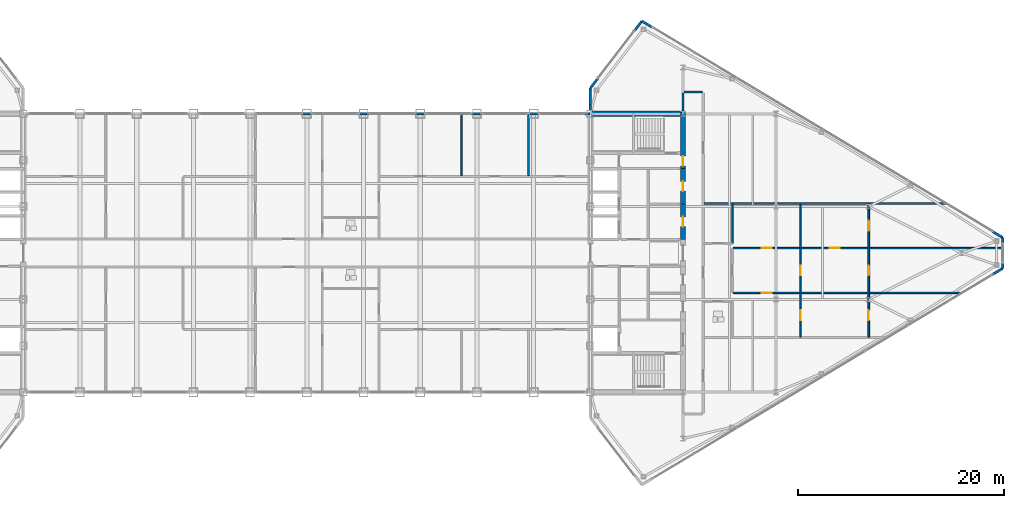
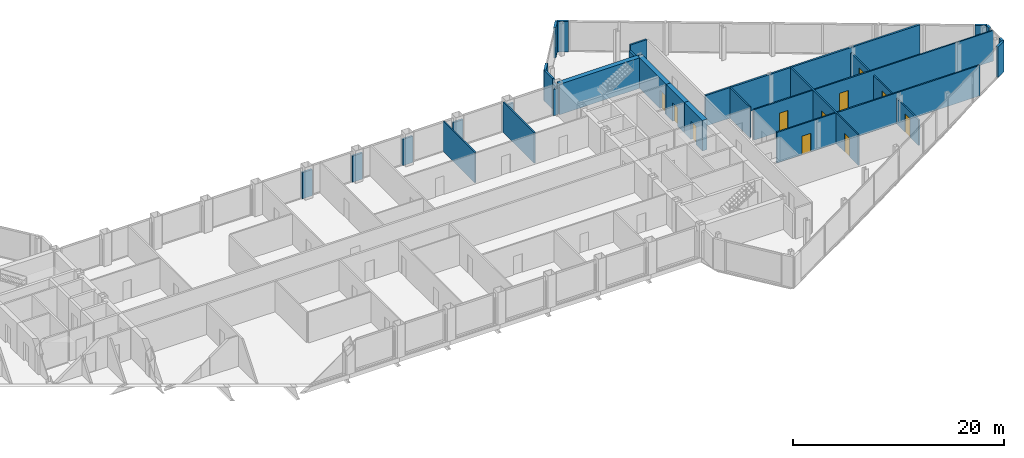
# One storey, part 26 of 29: 29 walls, 11 doors, 11 openings.
"""IFC4 building model written with IfcOpenShell, lengths in metres."""

from ifc_helpers import new_model, si_unit, direction, frame, frame_2d, origin, place, context, subcontext, project, spatial, rectangle, extrude, source, transform, mapped, material, layer, layer_set, type_object, type_shapes, element, fill, save


model = new_model("IFC4")

# Units and contexts
model_context = context("Model", 3, precision=1e-05, world=origin(), true_north=direction((0.0, 1.0)))
body_context = subcontext(model_context, "Body", "Model", "MODEL_VIEW")
ifc_project = project(units=[si_unit("LENGTHUNIT", "METRE"), si_unit("AREAUNIT", "SQUARE_METRE"), si_unit("VOLUMEUNIT", "CUBIC_METRE"), si_unit("PLANEANGLEUNIT", "RADIAN"), si_unit("MASSUNIT", "GRAM", prefix="KILO")], contexts=[model_context])

# Site, building, storey
site_placement = place(None, origin())
site = spatial("IfcSite", under=ifc_project, at=site_placement, CompositionType="ELEMENT")
building_placement = place(site_placement, origin())
building = spatial("IfcBuilding", under=site, at=building_placement, Name="Seokmaru Belvedere", CompositionType="ELEMENT")
storey_placement = place(building_placement, frame((0.0, 0.0, 254.39990234375)))
storey = spatial("IfcBuildingStorey", under=building, at=storey_placement, Name="L67", CompositionType="ELEMENT", Elevation=254.39990234375)

# Wall, opening, door
ifc_material_1 = material(Name="Fire-Rated Gypsum Shaftwall")
ifc_layer_1 = layer(ifc_material_1, 0.14990234375)
ifc_layer_set_1 = layer_set([ifc_layer_1], Name="Fire-Rated Gypsum Shaftwall")
wall_type_1 = type_object("IfcWallType", Name="Apartment Fire-Acoustic Room Partition 150", PredefinedType="PARTITIONING", material=ifc_layer_set_1)
wall_1_placement = place(storey_placement, frame((41.35009765625, -3.8701171875, 0.0), z_axis=(0.0, 0.0, 1.0), x_axis=(1.0, 0.0, 0.0)))
wall_1 = element("IfcWall", 1, at=wall_1_placement, inside=storey, type_object=wall_type_1, Name="L67 Interior Partition 011", PredefinedType="PARTITIONING", context=body_context, shape_type="SweptSolid", body=[
    extrude(rectangle(XDim=22.239990234375, YDim=0.14990234375, at=frame_2d((11.1201171875, 0.0))), origin(), (0.0, 0.0, 1.0), 3.530029296875),
])
opening_1_placement = place(wall_1_placement, frame((2.77490234375, 0.0, 0.0)))
opening_1 = element("IfcOpeningElement", 2, at=opening_1_placement, cuts=wall_1, Name="Opening D05", PredefinedType="OPENING", context=body_context, shape_type="SweptSolid", body=[
    extrude(rectangle(XDim=0.949951171875, YDim=2.14990234375, at=frame_2d((0.47509765625, 1.074951171875))), frame((0.0, 0.0849609375, 0.0), z_axis=(0.0, -1.0, 0.0), x_axis=(1.0, 0.0, 0.0)), (0.0, 0.0, 1.0), 0.169921875),
])
ifc_material_2 = material(Name="Engineered White Oak Timber", Category="wood")
door_type_1 = type_object("IfcDoorType", Name="Apartment Interior Fire-Rated Oak Door 950x2150", OperationType="NOTDEFINED", PredefinedType="DOOR", material=ifc_material_2)
shared_shape_1 = source(origin(), body_context, "Body", "SweptSolid", [
    extrude(rectangle(XDim=0.949951171875, YDim=2.14990234375, at=frame_2d((0.47509765625, 1.074951171875))), frame((0.0, 0.02490234375, 0.0), z_axis=(0.0, -1.0, 0.0), x_axis=(1.0, 0.0, 0.0)), (0.0, 0.0, 1.0), 0.050048828125),
])
type_shapes(door_type_1, [shared_shape_1])
door_1_placement = place(opening_1_placement, origin())
door_1 = element("IfcDoor", 3, at=door_1_placement, inside=storey, type_object=door_type_1, Name="L67 Interior Door 017", OperationType="SINGLE_SWING_LEFT", OverallHeight=2.14990234375, OverallWidth=0.949951171875, PredefinedType="DOOR", context=body_context, shape_type="MappedRepresentation", body=[
    mapped(shared_shape_1, transform((0.0, 0.0, 0.0), scale=1.0)),
])
fill(opening_1, door_1)

# Wall, openings, doors
wall_2_placement = place(storey_placement, frame((41.35009765625, 0.469970703125, 0.0), z_axis=(0.0, 0.0, 1.0), x_axis=(1.0, 0.0, 0.0)))
wall_2 = element("IfcWall", 4, at=wall_2_placement, inside=storey, type_object=wall_type_1, Name="L67 Interior Partition 016", PredefinedType="PARTITIONING", context=body_context, shape_type="SweptSolid", body=[
    extrude(rectangle(XDim=26.184814453125, YDim=0.14990234375, at=frame_2d((13.09228515625, 0.0))), origin(), (0.0, 0.0, 1.0), 3.530029296875),
])
opening_2_placement = place(wall_2_placement, frame((2.77490234375, 0.0, 0.0)))
opening_2 = element("IfcOpeningElement", 5, at=opening_2_placement, cuts=wall_2, Name="Opening D05", PredefinedType="OPENING", context=body_context, shape_type="SweptSolid", body=[
    extrude(rectangle(XDim=0.949951171875, YDim=2.14990234375, at=frame_2d((0.47509765625, 1.074951171875))), frame((0.0, 0.0849609375, 0.0), z_axis=(0.0, -1.0, 0.0), x_axis=(1.0, 0.0, 0.0)), (0.0, 0.0, 1.0), 0.169921875),
])
opening_3_placement = place(wall_2_placement, frame((9.375, 0.0, 0.0)))
opening_3 = element("IfcOpeningElement", 6, at=opening_3_placement, cuts=wall_2, Name="Opening D05", PredefinedType="OPENING", context=body_context, shape_type="SweptSolid", body=[
    extrude(rectangle(XDim=0.949951171875, YDim=2.14990234375, at=frame_2d((0.47509765625, 1.074951171875))), frame((0.0, 0.0849609375, 0.0), z_axis=(0.0, -1.0, 0.0), x_axis=(1.0, 0.0, 0.0)), (0.0, 0.0, 1.0), 0.169921875),
])
door_2_placement = place(opening_2_placement, origin())
door_2 = element("IfcDoor", 7, at=door_2_placement, inside=storey, type_object=door_type_1, Name="L67 Interior Door 019", OperationType="SINGLE_SWING_RIGHT", OverallHeight=2.14990234375, OverallWidth=0.949951171875, PredefinedType="DOOR", context=body_context, shape_type="MappedRepresentation", body=[
    mapped(shared_shape_1, transform((0.0, 0.0, 0.0), scale=1.0)),
])
fill(opening_2, door_2)
door_3_placement = place(opening_3_placement, origin())
door_3 = element("IfcDoor", 8, at=door_3_placement, inside=storey, type_object=door_type_1, Name="L67 Interior Door 023", OperationType="SINGLE_SWING_LEFT", OverallHeight=2.14990234375, OverallWidth=0.949951171875, PredefinedType="DOOR", context=body_context, shape_type="MappedRepresentation", body=[
    mapped(shared_shape_1, transform((0.0, 0.0, 0.0), scale=1.0)),
])
fill(opening_3, door_3)

# Walls
wall_3_placement = place(storey_placement, frame((15.0, 7.510009765625, 0.0), z_axis=(0.0, 0.0, 1.0), x_axis=(0.0, 1.0, 0.0)))
element("IfcWall", 9, at=wall_3_placement, inside=storey, type_object=wall_type_1, Name="L67 Interior Partition 045", PredefinedType="PARTITIONING", context=body_context, shape_type="SweptSolid", body=[
    extrude(rectangle(XDim=5.989990234375, YDim=0.14990234375, at=frame_2d((2.9951171875, 0.0))), origin(), (0.0, 0.0, 1.0), 3.530029296875),
])
wall_4_placement = place(storey_placement, frame((21.5, 7.510009765625, 0.0), z_axis=(0.0, 0.0, 1.0), x_axis=(0.0, 1.0, 0.0)))
element("IfcWall", 10, at=wall_4_placement, inside=storey, type_object=wall_type_1, Name="L67 Interior Partition 047", PredefinedType="PARTITIONING", context=body_context, shape_type="SweptSolid", body=[
    extrude(rectangle(XDim=5.8798828125, YDim=0.14990234375, at=frame_2d((2.93994140625, 0.0))), origin(), (0.0, 0.0, 1.0), 3.530029296875),
])
wall_5_placement = place(storey_placement, frame((41.300048828125, 0.951904296875, 0.0), z_axis=(0.0, 0.0, 1.0), x_axis=(0.0, 1.0, 0.0)))
element("IfcWall", 11, at=wall_5_placement, inside=storey, type_object=wall_type_1, Name="L67 Interior Partition 053", PredefinedType="PARTITIONING", context=body_context, shape_type="SweptSolid", body=[
    extrude(rectangle(XDim=3.798095703125, YDim=0.14990234375, at=frame_2d((1.89892578125, 0.0))), origin(), (0.0, 0.0, 1.0), 3.530029296875),
])

# Wall, openings, doors
wall_6_placement = place(storey_placement, frame((47.89990234375, -8.14990234375, 0.0), z_axis=(0.0, 0.0, 1.0), x_axis=(0.0, 1.0, 0.0)))
wall_6 = element("IfcWall", 12, at=wall_6_placement, inside=storey, type_object=wall_type_1, Name="L67 Interior Partition 054", PredefinedType="PARTITIONING", context=body_context, shape_type="SweptSolid", body=[
    extrude(rectangle(XDim=12.89990234375, YDim=0.14990234375, at=frame_2d((6.449951171875, 0.0))), origin(), (0.0, 0.0, 1.0), 3.530029296875),
])
opening_4_placement = place(wall_6_placement, frame((5.97509765625, 0.0, 0.0)))
opening_4 = element("IfcOpeningElement", 13, at=opening_4_placement, cuts=wall_6, Name="Opening D05", PredefinedType="OPENING", context=body_context, shape_type="SweptSolid", body=[
    extrude(rectangle(XDim=0.949951171875, YDim=2.14990234375, at=frame_2d((0.47509765625, 1.074951171875))), frame((0.0, 0.0849609375, 0.0), z_axis=(0.0, -1.0, 0.0), x_axis=(1.0, 0.0, 0.0)), (0.0, 0.0, 1.0), 0.169921875),
])
opening_5_placement = place(wall_6_placement, frame((1.6416015625, 0.0, 0.0)))
opening_5 = element("IfcOpeningElement", 14, at=opening_5_placement, cuts=wall_6, Name="Opening D05", PredefinedType="OPENING", context=body_context, shape_type="SweptSolid", body=[
    extrude(rectangle(XDim=0.949951171875, YDim=2.14990234375, at=frame_2d((0.47509765625, 1.074951171875))), frame((0.0, 0.0849609375, 0.0), z_axis=(0.0, -1.0, 0.0), x_axis=(1.0, 0.0, 0.0)), (0.0, 0.0, 1.0), 0.169921875),
])
door_4_placement = place(opening_4_placement, origin())
door_4 = element("IfcDoor", 15, at=door_4_placement, inside=storey, type_object=door_type_1, Name="L67 Interior Door 018", OperationType="SINGLE_SWING_RIGHT", OverallHeight=2.14990234375, OverallWidth=0.949951171875, PredefinedType="DOOR", context=body_context, shape_type="MappedRepresentation", body=[
    mapped(shared_shape_1, transform((0.0, 0.0, 0.0), scale=1.0)),
])
fill(opening_4, door_4)
door_5_placement = place(opening_5_placement, origin())
door_5 = element("IfcDoor", 16, at=door_5_placement, inside=storey, type_object=door_type_1, Name="L67 Interior Door 021", OperationType="SINGLE_SWING_LEFT", OverallHeight=2.14990234375, OverallWidth=0.949951171875, PredefinedType="DOOR", context=body_context, shape_type="MappedRepresentation", body=[
    mapped(shared_shape_1, transform((0.0, 0.0, 0.0), scale=1.0)),
])
fill(opening_5, door_5)

wall_7_placement = place(storey_placement, frame((54.5, -8.14990234375, 0.0), z_axis=(0.0, 0.0, 1.0), x_axis=(0.0, 1.0, 0.0)))
wall_7 = element("IfcWall", 17, at=wall_7_placement, inside=storey, type_object=wall_type_1, Name="L67 Interior Partition 055", PredefinedType="PARTITIONING", context=body_context, shape_type="SweptSolid", body=[
    extrude(rectangle(XDim=12.89990234375, YDim=0.14990234375, at=frame_2d((6.449951171875, 0.0))), origin(), (0.0, 0.0, 1.0), 2.93017578125),
])
opening_6_placement = place(wall_7_placement, frame((5.97509765625, 0.0, 0.0)))
opening_6 = element("IfcOpeningElement", 18, at=opening_6_placement, cuts=wall_7, Name="Opening D05", PredefinedType="OPENING", context=body_context, shape_type="SweptSolid", body=[
    extrude(rectangle(XDim=0.949951171875, YDim=2.14990234375, at=frame_2d((0.47509765625, 1.074951171875))), frame((0.0, 0.0849609375, 0.0), z_axis=(0.0, -1.0, 0.0), x_axis=(1.0, 0.0, 0.0)), (0.0, 0.0, 1.0), 0.169921875),
])
opening_7_placement = place(wall_7_placement, frame((1.6416015625, 0.0, 0.0)))
opening_7 = element("IfcOpeningElement", 19, at=opening_7_placement, cuts=wall_7, Name="Opening D05", PredefinedType="OPENING", context=body_context, shape_type="SweptSolid", body=[
    extrude(rectangle(XDim=0.949951171875, YDim=2.14990234375, at=frame_2d((0.47509765625, 1.074951171875))), frame((0.0, 0.0849609375, 0.0), z_axis=(0.0, -1.0, 0.0), x_axis=(1.0, 0.0, 0.0)), (0.0, 0.0, 1.0), 0.169921875),
])
opening_8_placement = place(wall_7_placement, frame((10.308349609375, 0.0, 0.0)))
opening_8 = element("IfcOpeningElement", 20, at=opening_8_placement, cuts=wall_7, Name="Opening D05", PredefinedType="OPENING", context=body_context, shape_type="SweptSolid", body=[
    extrude(rectangle(XDim=0.949951171875, YDim=2.14990234375, at=frame_2d((0.47509765625, 1.074951171875))), frame((0.0, 0.0849609375, 0.0), z_axis=(0.0, -1.0, 0.0), x_axis=(1.0, 0.0, 0.0)), (0.0, 0.0, 1.0), 0.169921875),
])
door_6_placement = place(opening_6_placement, origin())
door_6 = element("IfcDoor", 21, at=door_6_placement, inside=storey, type_object=door_type_1, Name="L67 Interior Door 020", OperationType="SINGLE_SWING_RIGHT", OverallHeight=2.14990234375, OverallWidth=0.949951171875, PredefinedType="DOOR", context=body_context, shape_type="MappedRepresentation", body=[
    mapped(shared_shape_1, transform((0.0, 0.0, 0.0), scale=1.0)),
])
fill(opening_6, door_6)
door_7_placement = place(opening_7_placement, origin())
door_7 = element("IfcDoor", 22, at=door_7_placement, inside=storey, type_object=door_type_1, Name="L67 Interior Door 022", OperationType="SINGLE_SWING_LEFT", OverallHeight=2.14990234375, OverallWidth=0.949951171875, PredefinedType="DOOR", context=body_context, shape_type="MappedRepresentation", body=[
    mapped(shared_shape_1, transform((0.0, 0.0, 0.0), scale=1.0)),
])
fill(opening_7, door_7)
door_8_placement = place(opening_8_placement, origin())
door_8 = element("IfcDoor", 23, at=door_8_placement, inside=storey, type_object=door_type_1, Name="L67 Interior Door 024", OperationType="SINGLE_SWING_RIGHT", OverallHeight=2.14990234375, OverallWidth=0.949951171875, PredefinedType="DOOR", context=body_context, shape_type="MappedRepresentation", body=[
    mapped(shared_shape_1, transform((0.0, 0.0, 0.0), scale=1.0)),
])
fill(opening_8, door_8)

# Walls
ifc_material_3 = material(Name="Anodised Bronze Aluminium", Category="aluminium")
ifc_layer_2 = layer(ifc_material_3, 0.2099609375)
ifc_layer_set_2 = layer_set([ifc_layer_2], Name="Anodised Bronze Aluminium")
wall_type_2 = type_object("IfcWallType", Name="Bridge Column Spandrel Closure Pier 210", PredefinedType="SOLIDWALL", material=ifc_layer_set_2)
for number, where, z_axis, x_axis, name in (
    (24, (-0.550048828125, 13.5, 0.0), (0.0, 0.0, 1.0), (1.0, 0.0, 0.0), "L67 Bridge North Column Closure Pier 06"),
    (25, (4.949951171875, 13.5, 0.0), (0.0, 0.0, 1.0), (1.0, 0.0, 0.0), "L67 Bridge North Column Closure Pier 07"),
    (26, (10.449951171875, 13.5, 0.0), (0.0, 0.0, 1.0), (1.0, 0.0, 0.0), "L67 Bridge North Column Closure Pier 08"),
    (27, (15.949951171875, 13.5, 0.0), (0.0, 0.0, 1.0), (1.0, 0.0, 0.0), "L67 Bridge North Column Closure Pier 09"),
    (28, (21.449951171875, 13.5, 0.0), (0.0, 0.0, 1.0), (1.0, 0.0, 0.0), "L67 Bridge North Column Closure Pier 10"),
):
    element("IfcWall", number, at=place(storey_placement, frame(where, z_axis=z_axis, x_axis=x_axis)), inside=storey, type_object=wall_type_2, Name=name, PredefinedType="SOLIDWALL", context=body_context, shape_type="SweptSolid", body=[
        extrude(rectangle(XDim=1.10009765625, YDim=0.2099609375, at=frame_2d((0.550048828125, 0.0))), origin(), (0.0, 0.0, 1.0), 3.030029296875),
    ])
wall_8_placement = place(storey_placement, frame((26.949951171875, 13.5, 0.0), z_axis=(0.0, 0.0, 1.0), x_axis=(1.0, 0.0, 0.0)))
element("IfcWall", 29, at=wall_8_placement, inside=storey, type_object=wall_type_2, Name="L67 Bridge North Column Closure Pier 11", PredefinedType="SOLIDWALL", context=body_context, shape_type="SweptSolid", body=[
    extrude(rectangle(XDim=0.5400390625, YDim=0.2099609375, at=frame_2d((0.27001953125, 0.0))), origin(), (0.0, 0.0, 1.0), 3.030029296875),
])
ifc_layer_3 = layer(ifc_material_1, 0.199951171875)
ifc_layer_set_3 = layer_set([ifc_layer_3], Name="Fire-Rated Gypsum Shaftwall")
wall_type_3 = type_object("IfcWallType", Name="Inter-Tenancy Fire Compartment Partition 200", PredefinedType="PARTITIONING", material=ifc_layer_set_3)
wall_9_placement = place(storey_placement, frame((38.530029296875, 4.800048828125, 0.0), z_axis=(0.0, 0.0, 1.0), x_axis=(1.0, 0.0, 0.0)))
element("IfcWall", 30, at=wall_9_placement, inside=storey, type_object=wall_type_3, Name="L67 Interior Partition 021", PredefinedType="PARTITIONING", context=body_context, shape_type="SweptSolid", body=[
    extrude(rectangle(XDim=23.47998046875, YDim=0.199951171875, at=frame_2d((11.739990234375, 0.0))), origin(), (0.0, 0.0, 1.0), 3.530029296875),
])
wall_10_placement = place(storey_placement, frame((36.5849609375, 15.60009765625, 0.0), z_axis=(0.0, 0.0, 1.0), x_axis=(1.0, 0.0, 0.0)))
element("IfcWall", 31, at=wall_10_placement, inside=storey, type_object=wall_type_3, Name="L67 Interior Partition 026", PredefinedType="PARTITIONING", context=body_context, shape_type="SweptSolid", body=[
    extrude(rectangle(XDim=1.780029296875, YDim=0.199951171875, at=frame_2d((0.89013671875, 0.0))), origin(), (0.0, 0.0, 1.0), 3.530029296875),
])
wall_11_placement = place(storey_placement, frame((36.5, 13.7548828125, 0.0), z_axis=(0.0, 0.0, 1.0), x_axis=(0.0, 1.0, 0.0)))
element("IfcWall", 32, at=wall_11_placement, inside=storey, type_object=wall_type_3, Name="L67 Interior Partition 049", PredefinedType="PARTITIONING", context=body_context, shape_type="SweptSolid", body=[
    extrude(rectangle(XDim=1.760009765625, YDim=0.199951171875, at=frame_2d((0.8798828125, 0.0))), origin(), (0.0, 0.0, 1.0), 2.93017578125),
])
ifc_layer_4 = layer(ifc_material_3, 0.239990234375)
ifc_layer_set_4 = layer_set([ifc_layer_4], Name="Anodised Bronze Aluminium")
wall_type_4 = type_object("IfcWallType", Name="Tower Corner Spandrel Closure Wall 240", PredefinedType="SOLIDWALL", material=ifc_layer_set_4)
wall_12_placement = place(storey_placement, frame((66.513916015625, -2.091796875, 0.0), z_axis=(0.0, 0.0, 1.0), x_axis=(0.85743623509, 0.514590228002, 0.0)))
element("IfcWall", 33, at=wall_12_placement, inside=storey, type_object=wall_type_4, Name="L67 E Corner Closure Pier 1B", PredefinedType="SOLIDWALL", context=body_context, shape_type="SweptSolid", body=[
    extrude(rectangle(XDim=1.14013671875, YDim=0.239990234375, at=frame_2d((0.570068359375, 0.0))), origin(), (0.0, 0.0, 1.0), 3.530029296875),
])
for number, where, z_axis, x_axis, name in (
    (34, (67.5, -1.489990234375, 0.0), (0.0, 0.0, 1.0), (0.0, 1.0, 0.0), "L67 E Apex Closure Pier 2A"),
    (35, (67.5, 0.949951171875, 0.0), (0.0, 0.0, 1.0), (0.0, 1.0, 0.0), "L67 E Apex Closure Pier 2B"),
):
    element("IfcWall", number, at=place(storey_placement, frame(where, z_axis=z_axis, x_axis=x_axis)), inside=storey, type_object=wall_type_4, Name=name, PredefinedType="SOLIDWALL", context=body_context, shape_type="SweptSolid", body=[
        extrude(rectangle(XDim=0.5400390625, YDim=0.239990234375, at=frame_2d((0.27001953125, 0.0))), origin(), (0.0, 0.0, 1.0), 3.530029296875),
    ])
for number, where, z_axis, x_axis, name in (
    (36, (67.491455078125, 1.505126953125, 0.0), (0.0, 0.0, 1.0), (-0.85743623509, 0.514590228002, 0.0), "L67 E Corner Closure Pier 3A"),
    (37, (33.486083984375, 21.908203125, 0.0), (0.0, 0.0, 1.0), (-0.85743623509, 0.514590228002, 0.0), "L67 E Corner Closure Pier 3B"),
    (38, (32.493896484375, 22.4921875, 0.0), (0.0, 0.0, 1.0), (-0.609617623633, -0.792695624408, 0.0), "L67 E Corner Closure Pier 4A"),
    (39, (28.201171875, 16.91162109375, 0.0), (0.0, 0.0, 1.0), (-0.609617623633, -0.792695624408, 0.0), "L67 E Corner Closure Pier 4B"),
):
    element("IfcWall", number, at=place(storey_placement, frame(where, z_axis=z_axis, x_axis=x_axis)), inside=storey, type_object=wall_type_4, Name=name, PredefinedType="SOLIDWALL", context=body_context, shape_type="SweptSolid", body=[
        extrude(rectangle(XDim=1.14013671875, YDim=0.239990234375, at=frame_2d((0.570068359375, 0.0))), origin(), (0.0, 0.0, 1.0), 3.530029296875),
    ])
wall_13_placement = place(storey_placement, frame((27.5, 13.7548828125, 0.0), z_axis=(0.0, 0.0, 1.0), x_axis=(0.0, 1.0, 0.0)))
element("IfcWall", 40, at=wall_13_placement, inside=storey, type_object=wall_type_4, Name="L67 E Shoulder Closure Wall 2", PredefinedType="SOLIDWALL", context=body_context, shape_type="SweptSolid", body=[
    extrude(rectangle(XDim=0.619873046875, YDim=0.239990234375, at=frame_2d((0.31005859375, 0.0))), origin(), (0.0, 0.0, 1.0), 3.030029296875),
])
wall_14_placement = place(storey_placement, frame((27.5, 14.374755859375, 0.0), z_axis=(0.0, 0.0, 1.0), x_axis=(0.0, 1.0, 0.0)))
element("IfcWall", 41, at=wall_14_placement, inside=storey, type_object=wall_type_4, Name="L67 E Shoulder Closure Wall 2 Part 2", PredefinedType="SOLIDWALL", context=body_context, shape_type="SweptSolid", body=[
    extrude(rectangle(XDim=1.605224609375, YDim=0.239990234375, at=frame_2d((0.802734375, 0.0))), origin(), (0.0, 0.0, 1.0), 3.530029296875),
])
ifc_material_4 = material(Name="Concrete C50 (50 MPa)", Category="concrete")
ifc_layer_5 = layer(ifc_material_4, 0.5)
ifc_layer_set_5 = layer_set([ifc_layer_5], Name="Concrete C50 (50 MPa)")
wall_type_5 = type_object("IfcWallType", Name="Upper Tower Reinforced Concrete Core Wall 500", PredefinedType="SHEAR", material=ifc_layer_set_5)
wall_15_placement = place(storey_placement, frame((27.5, 13.5, 0.0), z_axis=(0.0, 0.0, 1.0), x_axis=(1.0, 0.0, 0.0)))
element("IfcWall", 42, at=wall_15_placement, inside=storey, type_object=wall_type_5, Name="L67 East North Core Wall", PredefinedType="SHEAR", context=body_context, shape_type="SweptSolid", body=[
    extrude(rectangle(XDim=9.0, YDim=0.5, at=frame_2d((4.5, 0.0))), origin(), (0.0, 0.0, 1.0), 3.530029296875),
])

# Wall, opening, door
wall_16_placement = place(storey_placement, frame((36.5, 8.199951171875, 0.0), z_axis=(0.0, 0.0, 1.0), x_axis=(0.0, 1.0, 0.0)))
wall_16 = element("IfcWall", 43, at=wall_16_placement, inside=storey, type_object=wall_type_5, Name="L67 East West Core Wall VST", PredefinedType="SHEAR", context=body_context, shape_type="SweptSolid", body=[
    extrude(rectangle(XDim=5.449951171875, YDim=0.5, at=frame_2d((2.72509765625, 0.0))), origin(), (0.0, 0.0, 1.0), 3.530029296875),
])
opening_9_placement = place(wall_16_placement, frame((0.2451171875, 0.0, 0.0)))
opening_9 = element("IfcOpeningElement", 44, at=opening_9_placement, cuts=wall_16, Name="Opening D04", PredefinedType="OPENING", context=body_context, shape_type="SweptSolid", body=[
    extrude(rectangle(XDim=0.949951171875, YDim=2.14990234375, at=frame_2d((0.47509765625, 1.074951171875))), frame((0.0, 0.260009765625, 0.0), z_axis=(0.0, -1.0, 0.0), x_axis=(1.0, 0.0, 0.0)), (0.0, 0.0, 1.0), 0.52001953125),
])
ifc_material_5 = material(Name="Fire-Rated Steel Leaf", Category="steel")
door_type_2 = type_object("IfcDoorType", Name="Core Service Room Fire Door 950x2150", OperationType="NOTDEFINED", PredefinedType="DOOR", material=ifc_material_5)
shared_shape_2 = source(origin(), body_context, "Body", "SweptSolid", [
    extrude(rectangle(XDim=0.949951171875, YDim=2.14990234375, at=frame_2d((0.47509765625, 1.074951171875))), frame((0.0, 0.02490234375, 0.0), z_axis=(0.0, -1.0, 0.0), x_axis=(1.0, 0.0, 0.0)), (0.0, 0.0, 1.0), 0.050048828125),
])
type_shapes(door_type_2, [shared_shape_2])
door_9_placement = place(opening_9_placement, origin())
door_9 = element("IfcDoor", 45, at=door_9_placement, inside=storey, type_object=door_type_2, Name="L67 East Smokeproof Vestibule Door", OperationType="SINGLE_SWING_LEFT", OverallHeight=2.14990234375, OverallWidth=0.949951171875, PredefinedType="DOOR", context=body_context, shape_type="MappedRepresentation", body=[
    mapped(shared_shape_2, transform((0.0, 0.0, 0.0), scale=1.0)),
])
fill(opening_9, door_9)

wall_17_placement = place(storey_placement, frame((36.5, 1.300048828125, 0.0), z_axis=(0.0, 0.0, 1.0), x_axis=(0.0, 1.0, 0.0)))
wall_17 = element("IfcWall", 46, at=wall_17_placement, inside=storey, type_object=wall_type_5, Name="L67 East West Core Wall CS3", PredefinedType="SHEAR", context=body_context, shape_type="SweptSolid", body=[
    extrude(rectangle(XDim=3.449951171875, YDim=0.5, at=frame_2d((1.72509765625, 0.0))), origin(), (0.0, 0.0, 1.0), 3.530029296875),
])
opening_10_placement = place(wall_17_placement, frame((1.25, 0.0, 0.0)))
opening_10 = element("IfcOpeningElement", 47, at=opening_10_placement, cuts=wall_17, Name="Opening D04", PredefinedType="OPENING", context=body_context, shape_type="SweptSolid", body=[
    extrude(rectangle(XDim=0.949951171875, YDim=2.14990234375, at=frame_2d((0.47509765625, 1.074951171875))), frame((0.0, 0.260009765625, 0.0), z_axis=(0.0, -1.0, 0.0), x_axis=(1.0, 0.0, 0.0)), (0.0, 0.0, 1.0), 0.52001953125),
])
door_10_placement = place(opening_10_placement, origin())
door_10 = element("IfcDoor", 48, at=door_10_placement, inside=storey, type_object=door_type_2, Name="L67 East Core Service Room Door 3", OperationType="SINGLE_SWING_RIGHT", OverallHeight=2.14990234375, OverallWidth=0.949951171875, PredefinedType="DOOR", context=body_context, shape_type="MappedRepresentation", body=[
    mapped(shared_shape_2, transform((0.0, 0.0, 0.0), scale=1.0)),
])
fill(opening_10, door_10)

wall_18_placement = place(storey_placement, frame((36.5, 4.75, 0.0), z_axis=(0.0, 0.0, 1.0), x_axis=(0.0, 1.0, 0.0)))
wall_18 = element("IfcWall", 49, at=wall_18_placement, inside=storey, type_object=wall_type_5, Name="L67 East West Core Wall CS4", PredefinedType="SHEAR", context=body_context, shape_type="SweptSolid", body=[
    extrude(rectangle(XDim=3.449951171875, YDim=0.5, at=frame_2d((1.72509765625, 0.0))), origin(), (0.0, 0.0, 1.0), 3.530029296875),
])
opening_11_placement = place(wall_18_placement, frame((1.25, 0.0, 0.0)))
opening_11 = element("IfcOpeningElement", 50, at=opening_11_placement, cuts=wall_18, Name="Opening D04", PredefinedType="OPENING", context=body_context, shape_type="SweptSolid", body=[
    extrude(rectangle(XDim=0.949951171875, YDim=2.14990234375, at=frame_2d((0.47509765625, 1.074951171875))), frame((0.0, 0.260009765625, 0.0), z_axis=(0.0, -1.0, 0.0), x_axis=(1.0, 0.0, 0.0)), (0.0, 0.0, 1.0), 0.52001953125),
])
door_11_placement = place(opening_11_placement, origin())
door_11 = element("IfcDoor", 51, at=door_11_placement, inside=storey, type_object=door_type_2, Name="L67 East Core Service Room Door 4", OperationType="SINGLE_SWING_LEFT", OverallHeight=2.14990234375, OverallWidth=0.949951171875, PredefinedType="DOOR", context=body_context, shape_type="MappedRepresentation", body=[
    mapped(shared_shape_2, transform((0.0, 0.0, 0.0), scale=1.0)),
])
fill(opening_11, door_11)

save(model, "model.ifc")
